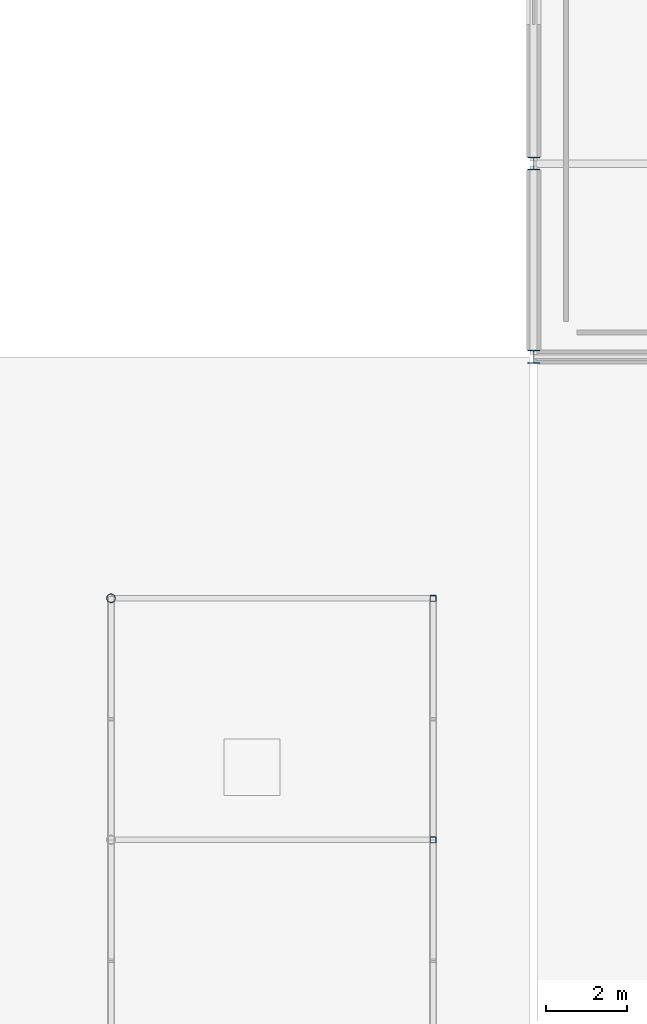
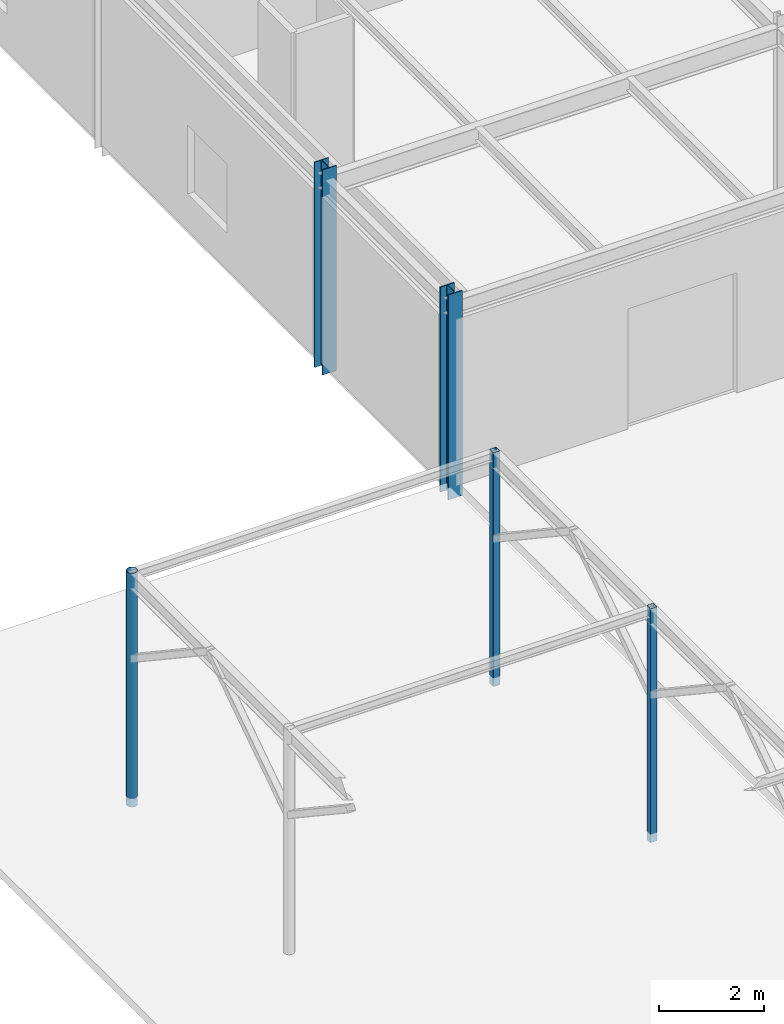
# One storey, part 16 of 119: 5 columns.
"""IFC4 building model written with IfcOpenShell, lengths in metres."""

from ifc_helpers import new_model, si_unit, derived_unit, direction, frame, origin, origin_2d_with_axis, place, context, subcontext, project, spatial, hollow_rectangle, hollow_circle, i_section, extrude, material, material_profile, profile_set, type_object, element, save


model = new_model("IFC4")

# Units and contexts
model_context = context("Model", 3, precision=1e-05, world=origin(), true_north=direction((0.0, 1.0)))
body_context = subcontext(model_context, "Body", "Model", "MODEL_VIEW")
ifc_project = project(units=[si_unit("LENGTHUNIT", "METRE"), si_unit("AREAUNIT", "SQUARE_METRE"), si_unit("VOLUMEUNIT", "CUBIC_METRE"), si_unit("PLANEANGLEUNIT", "RADIAN"), si_unit("MASSUNIT", "GRAM", prefix="KILO"), derived_unit("THERMALTRANSMITTANCEUNIT", [(si_unit("POWERUNIT", "WATT"), 1), (si_unit("LENGTHUNIT", "METRE"), -2), (si_unit("THERMODYNAMICTEMPERATUREUNIT", "KELVIN"), -1)])], contexts=[model_context])

# Site, building, storey
site_placement = place(None, origin())
site = spatial("IfcSite", under=ifc_project, at=site_placement, CompositionType="ELEMENT")
building_placement = place(site_placement, origin())
building = spatial("IfcBuilding", under=site, at=building_placement, Name="Cinnabar Yard Market Hall", CompositionType="ELEMENT")
storey_placement = place(building_placement, origin())
storey = spatial("IfcBuildingStorey", under=building, at=storey_placement, Name="L00", CompositionType="ELEMENT", Elevation=0.0)

# Columns
ifc_material_1 = material(Name="Spotted-gum glulam-clad steel Grade 350 (350 MPa)", Category="steel")
ifc_material_profile_1 = material_profile(ifc_material_1, hollow_circle(Radius=0.109619140625, WallThickness=0.00830078125, at=origin_2d_with_axis()), Name="219.1x8.2CHS")
ifc_profile_set_1 = profile_set([ifc_material_profile_1], Name="Spotted-gum glulam-clad steel Grade 350 (350 MPa)")
column_type_1 = type_object("IfcColumnType", Name="COL-C05E", PredefinedType="COLUMN", material=ifc_profile_set_1)
column_1_placement = place(storey_placement, frame((55.5, 102.0, -0.199951171875), z_axis=(0.0, 0.0, 1.0), x_axis=(1.0, 0.0, 0.0)))
element("IfcColumn", 1, at=column_1_placement, inside=storey, type_object=column_type_1, Name="Passage Colonnade Post V5W-A5", PredefinedType="COLUMN", context=body_context, shape_type="SweptSolid", body=[
    extrude(hollow_circle(Radius=0.109619140625, WallThickness=0.00830078125, at=origin_2d_with_axis()), origin(), (0.0, 0.0, 1.0), 5.449951171875),
])
ifc_material_2 = material(Name="Steel Grade 350 (350 MPa)", Category="steel")
ifc_material_profile_2 = material_profile(ifc_material_2, i_section(OverallWidth=0.311279296875, OverallDepth=0.3271484375, WebThickness=0.015625, FlangeThickness=0.02490234375, FilletRadius=0.0166015625, at=origin_2d_with_axis()), Name="310UC158")
ifc_profile_set_2 = profile_set([ifc_material_profile_2], Name="Steel Grade 350 (350 MPa)")
column_type_2 = type_object("IfcColumnType", Name="COL-C06E", PredefinedType="COLUMN", material=ifc_profile_set_2)
column_2_placement = place(storey_placement, frame((66.0, 108.0, -0.280029296875), z_axis=(0.0, 0.0, 1.0), x_axis=(1.0, 0.0, 0.0)))
element("IfcColumn", 2, at=column_2_placement, inside=storey, type_object=column_type_2, Name="Wing Column V3-01-01 L00", PredefinedType="COLUMN", context=body_context, shape_type="SweptSolid", body=[
    extrude(i_section(OverallWidth=0.311279296875, OverallDepth=0.3271484375, WebThickness=0.015625, FlangeThickness=0.02490234375, FilletRadius=0.0166015625, at=origin_2d_with_axis()), origin(), (0.0, 0.0, 1.0), 4.780029296875),
])
ifc_material_profile_3 = material_profile(ifc_material_2, i_section(OverallWidth=0.30908203125, OverallDepth=0.320556640625, WebThickness=0.013916015625, FlangeThickness=0.021728515625, FilletRadius=0.0166015625, at=origin_2d_with_axis()), Name="310UC137")
ifc_profile_set_3 = profile_set([ifc_material_profile_3], Name="Steel Grade 350 (350 MPa)")
column_type_3 = type_object("IfcColumnType", Name="COL-C07E", PredefinedType="COLUMN", material=ifc_profile_set_3)
column_3_placement = place(storey_placement, frame((66.0, 112.800048828125, -0.280029296875), z_axis=(0.0, 0.0, 1.0), x_axis=(1.0, 0.0, 0.0)))
element("IfcColumn", 3, at=column_3_placement, inside=storey, type_object=column_type_3, Name="Wing Column V3-01-02 L00", PredefinedType="COLUMN", context=body_context, shape_type="SweptSolid", body=[
    extrude(i_section(OverallWidth=0.30908203125, OverallDepth=0.320556640625, WebThickness=0.013916015625, FlangeThickness=0.021728515625, FilletRadius=0.0166015625, at=origin_2d_with_axis()), origin(), (0.0, 0.0, 1.0), 4.780029296875),
])
ifc_material_3 = material(Name="Cold-formed steel C350L0", Category="steel")
ifc_material_profile_4 = material_profile(ifc_material_3, hollow_rectangle(XDim=0.14990234375, YDim=0.14990234375, WallThickness=0.006103515625, InnerFilletRadius=0.006103515625, OuterFilletRadius=0.011962890625, at=origin_2d_with_axis()), Name="150x150x6.0SHS")
ifc_profile_set_4 = profile_set([ifc_material_profile_4], Name="Cold-formed steel C350L0")
column_type_4 = type_object("IfcColumnType", Name="COL-C16E", PredefinedType="COLUMN", material=ifc_profile_set_4)
for number, where, z_axis, x_axis, name in (
    (4, (63.5, 96.0, -0.199951171875), (0.0, 0.0, 1.0), (1.0, 0.0, 0.0), "Passage Colonnade Post V5W-B4"),
    (5, (63.5, 102.0, -0.199951171875), (0.0, 0.0, 1.0), (1.0, 0.0, 0.0), "Passage Colonnade Post V5W-B5"),
):
    element("IfcColumn", number, at=place(storey_placement, frame(where, z_axis=z_axis, x_axis=x_axis)), inside=storey, type_object=column_type_4, Name=name, PredefinedType="COLUMN", context=body_context, shape_type="SweptSolid", body=[
        extrude(hollow_rectangle(XDim=0.14990234375, YDim=0.14990234375, WallThickness=0.006103515625, InnerFilletRadius=0.006103515625, OuterFilletRadius=0.011962890625, at=origin_2d_with_axis()), origin(), (0.0, 0.0, 1.0), 5.449951171875),
    ])

save(model, "model.ifc")
